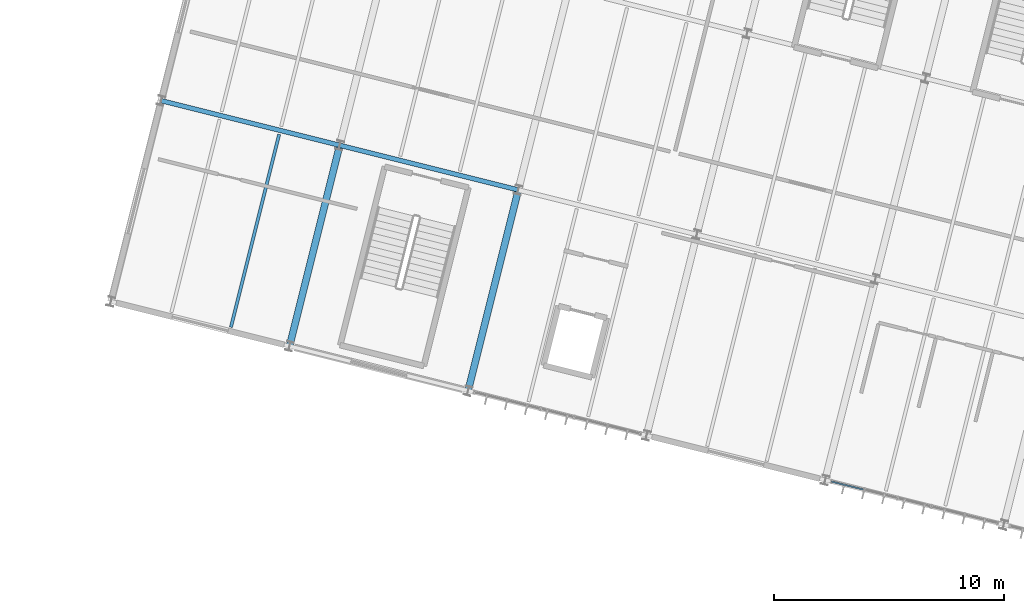
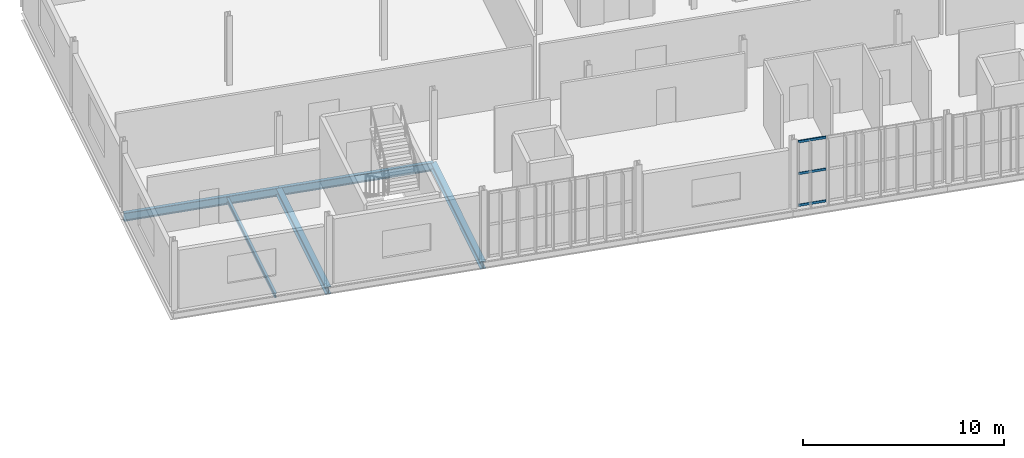
# One storey, part 24 of 61: 5 beams, 3 members, 1 element without a shape of its own.
"""IFC4 building model written with IfcOpenShell, lengths in metres."""

from ifc_helpers import new_model, si_unit, derived_unit, direction, frame, origin, origin_2d, place, context, subcontext, project, spatial, hollow_rectangle, i_section, extrude, material, material_profile, profile_set, type_object, element, aggregate, save


model = new_model("IFC4")

# Units and contexts
model_context = context("Model", 3, precision=1e-05, world=origin(), true_north=direction((0.0, 1.0)))
body_context = subcontext(model_context, "Body", "Model", "MODEL_VIEW")
ifc_project = project(units=[si_unit("LENGTHUNIT", "METRE"), si_unit("AREAUNIT", "SQUARE_METRE"), si_unit("VOLUMEUNIT", "CUBIC_METRE"), si_unit("PLANEANGLEUNIT", "RADIAN"), si_unit("MASSUNIT", "GRAM", prefix="KILO"), si_unit("THERMODYNAMICTEMPERATUREUNIT", "KELVIN"), si_unit("TIMEUNIT", "SECOND"), derived_unit("THERMALTRANSMITTANCEUNIT", [(si_unit("MASSUNIT", "GRAM", prefix="KILO"), 1), (si_unit("THERMODYNAMICTEMPERATUREUNIT", "KELVIN"), -1), (si_unit("TIMEUNIT", "SECOND"), -3)])], contexts=[model_context])

# Site, building, storey
site_placement = place(None, origin())
site = spatial("IfcSite", under=ifc_project, at=site_placement, CompositionType="ELEMENT")
building_placement = place(site_placement, origin())
building = spatial("IfcBuilding", under=site, at=building_placement, Name="Cambertide Market Hall", CompositionType="ELEMENT")
storey_placement = place(building_placement, frame((0.0, 0.0, 9.89990234375)))
storey = spatial("IfcBuildingStorey", under=building, at=storey_placement, Name="L03", CompositionType="ELEMENT", Elevation=9.89990234375)

# Curtain wall, members
ifc_material_1 = material(Name="Marine Anodized Aluminium 6063-T6 AA25", Category="aluminium")
curtain_wall_type = type_object("IfcCurtainWallType", Name="Cooking School Classroom Curtain Wall", PredefinedType="USERDEFINED", material=ifc_material_1)
curtain_wall_placement = place(storey_placement, origin())
curtain_wall = element("IfcCurtainWall", 1, at=curtain_wall_placement, inside=storey, type_object=curtain_wall_type, Name="Level 3 Curtain Wall CW-V4S-L03-5", ObjectType="UNITIZED CURTAIN WALL", PredefinedType="USERDEFINED")
ifc_material_2 = material(Name="Champagne Marine Anodized Aluminium 6063-T6 AA25", Category="aluminium")
ifc_material_profile_1 = material_profile(ifc_material_2, hollow_rectangle(XDim=0.06494140625, YDim=0.139892578125, WallThickness=0.00341796875, at=origin_2d()), Name="ALU TRANSOM 65x140")
ifc_profile_set_1 = profile_set([ifc_material_profile_1], Name="Champagne Marine Anodized Aluminium 6063-T6 AA25")
member_type = type_object("IfcMemberType", Name="Curtain Wall Transom ALU TRANSOM 65x140", PredefinedType="USERDEFINED", material=ifc_profile_set_1)
member_1_placement = place(storey_placement, frame((140.69775390625, 91.82568359375, 0.03515625), z_axis=(-0.970172746521, 0.242414607454, 0.0), x_axis=(-0.242414607454, -0.970172746521, 0.0)))
member_1 = element("IfcMember", 2, at=member_1_placement, type_object=member_type, Name="CW-V4S-L03-5 Transom 1-5", ObjectType="TRANSOM", PredefinedType="USERDEFINED", context=body_context, shape_type="SweptSolid", body=[
    extrude(hollow_rectangle(XDim=0.06494140625, YDim=0.139892578125, WallThickness=0.00341796875, at=origin_2d()), origin(), (0.0, 0.0, 1.0), 1.424072265625),
])
member_2_placement = place(storey_placement, frame((140.69775390625, 91.82568359375, 1.960205078125), z_axis=(-0.970172746521, 0.242414607454, 0.0), x_axis=(-0.242414607454, -0.970172746521, 0.0)))
member_2 = element("IfcMember", 3, at=member_2_placement, type_object=member_type, Name="CW-V4S-L03-5 Transom 2-5", ObjectType="TRANSOM", PredefinedType="USERDEFINED", context=body_context, shape_type="SweptSolid", body=[
    extrude(hollow_rectangle(XDim=0.06494140625, YDim=0.139892578125, WallThickness=0.00341796875, at=origin_2d()), origin(), (0.0, 0.0, 1.0), 1.424072265625),
])
member_3_placement = place(storey_placement, frame((140.69775390625, 91.82568359375, 3.885009765625), z_axis=(-0.970172746521, 0.242414607454, 0.0), x_axis=(-0.242414607454, -0.970172746521, 0.0)))
member_3 = element("IfcMember", 4, at=member_3_placement, type_object=member_type, Name="CW-V4S-L03-5 Transom 3-5", ObjectType="TRANSOM", PredefinedType="USERDEFINED", context=body_context, shape_type="SweptSolid", body=[
    extrude(hollow_rectangle(XDim=0.06494140625, YDim=0.139892578125, WallThickness=0.00341796875, at=origin_2d()), origin(), (0.0, 0.0, 1.0), 1.424072265625),
])
aggregate(curtain_wall, [member_1, member_2, member_3])

# Beams
ifc_material_3 = material(Name="Steel S355", Category="steel")
ifc_material_profile_2 = material_profile(ifc_material_3, i_section(OverallWidth=0.300048828125, OverallDepth=0.449951171875, WebThickness=0.013916015625, FlangeThickness=0.02587890625, FilletRadius=0.027099609375, at=origin_2d()), Name="HEB 450")
ifc_profile_set_2 = profile_set([ifc_material_profile_2], Name="Steel S355")
beam_type_1 = type_object("IfcBeamType", Name="Steel Girder HEB 450", PredefinedType="BEAM", material=ifc_profile_set_2)
beam_1_placement = place(storey_placement, frame((115.76123046875, 98.059814453125, -0.469970703125), z_axis=(0.242516476432, 0.970147287096, 0.0), x_axis=(-0.970147287096, 0.242516476432, 0.0)))
element("IfcBeam", 5, at=beam_1_placement, inside=storey, type_object=beam_type_1, Name="Level 3 Beam BM-V4V-L03-2-1", PredefinedType="BEAM", context=body_context, shape_type="SweptSolid", body=[
    extrude(i_section(OverallWidth=0.300048828125, OverallDepth=0.449951171875, WebThickness=0.013916015625, FlangeThickness=0.02587890625, FilletRadius=0.027099609375, at=origin_2d()), origin(), (0.0, 0.0, 1.0), 8.999755859375),
])
beam_2_placement = place(storey_placement, frame((123.522216796875, 96.119384765625, -0.469970703125), z_axis=(0.242535625036, 0.970142500145, 0.0), x_axis=(-0.970142500145, 0.242535625036, 0.0)))
element("IfcBeam", 6, at=beam_2_placement, inside=storey, type_object=beam_type_1, Name="Level 3 Beam BM-V4V-L03-3-1", PredefinedType="BEAM", context=body_context, shape_type="SweptSolid", body=[
    extrude(i_section(OverallWidth=0.300048828125, OverallDepth=0.449951171875, WebThickness=0.013916015625, FlangeThickness=0.02587890625, FilletRadius=0.027099609375, at=origin_2d()), origin(), (0.0, 0.0, 1.0), 9.000244140625),
])
ifc_material_4 = material(Name="Steel S355", Category="steel")
ifc_material_profile_3 = material_profile(ifc_material_4, i_section(OverallWidth=0.199951171875, OverallDepth=0.5, WebThickness=0.01025390625, FlangeThickness=0.01611328125, FilletRadius=0.02099609375, at=origin_2d()), Name="IPE 500")
ifc_profile_set_3 = profile_set([ifc_material_profile_3], Name="Steel S355")
beam_type_2 = type_object("IfcBeamType", Name="Steel Girder IPE 500", PredefinedType="BEAM", material=ifc_profile_set_3)
beam_3_placement = place(storey_placement, frame((110.182861328125, 108.731201171875, -0.494873046875), z_axis=(0.970144295309, -0.242528444268, 0.0), x_axis=(0.242528444268, 0.970144295309, 0.0)))
element("IfcBeam", 7, at=beam_3_placement, inside=storey, type_object=beam_type_2, Name="Level 3 Beam BM-V4U-L03-1-2", PredefinedType="BEAM", context=body_context, shape_type="SweptSolid", body=[
    extrude(i_section(OverallWidth=0.199951171875, OverallDepth=0.5, WebThickness=0.01025390625, FlangeThickness=0.01611328125, FilletRadius=0.02099609375, at=origin_2d()), origin(), (0.0, 0.0, 1.0), 7.999755859375),
])
beam_4_placement = place(storey_placement, frame((117.94384765625, 106.791015625, -0.494873046875), z_axis=(0.970146090314, -0.242521263911, 0.0), x_axis=(0.242521263911, 0.970146090314, 0.0)))
element("IfcBeam", 8, at=beam_4_placement, inside=storey, type_object=beam_type_2, Name="Level 3 Beam BM-V4U-L03-2-2", PredefinedType="BEAM", context=body_context, shape_type="SweptSolid", body=[
    extrude(i_section(OverallWidth=0.199951171875, OverallDepth=0.5, WebThickness=0.01025390625, FlangeThickness=0.01611328125, FilletRadius=0.02099609375, at=origin_2d()), origin(), (0.0, 0.0, 1.0), 8.0),
])
ifc_material_5 = material(Name="Steel S275", Category="steel")
ifc_material_profile_4 = material_profile(ifc_material_5, i_section(OverallWidth=0.135009765625, OverallDepth=0.27001953125, WebThickness=0.006591796875, FlangeThickness=0.01025390625, FilletRadius=0.014892578125, at=origin_2d()), Name="IPE 270")
ifc_profile_set_4 = profile_set([ifc_material_profile_4], Name="Steel S275")
beam_type_3 = type_object("IfcBeamType", Name="Steel Secondary Joist IPE 270", PredefinedType="JOIST", material=ifc_profile_set_4)
beam_5_placement = place(storey_placement, frame((113.2177734375, 98.881103515625, -0.3798828125), z_axis=(0.242528976348, 0.970144162293, 0.0), x_axis=(-0.970144162293, 0.242528976348, 0.0)))
element("IfcBeam", 9, at=beam_5_placement, inside=storey, type_object=beam_type_3, Name="Level 3 Joist JS-V4-L03-1-1-2", PredefinedType="JOIST", context=body_context, shape_type="SweptSolid", body=[
    extrude(i_section(OverallWidth=0.135009765625, OverallDepth=0.27001953125, WebThickness=0.006591796875, FlangeThickness=0.01025390625, FilletRadius=0.014892578125, at=origin_2d()), origin(), (0.0, 0.0, 1.0), 8.64013671875),
])

save(model, "model.ifc")
